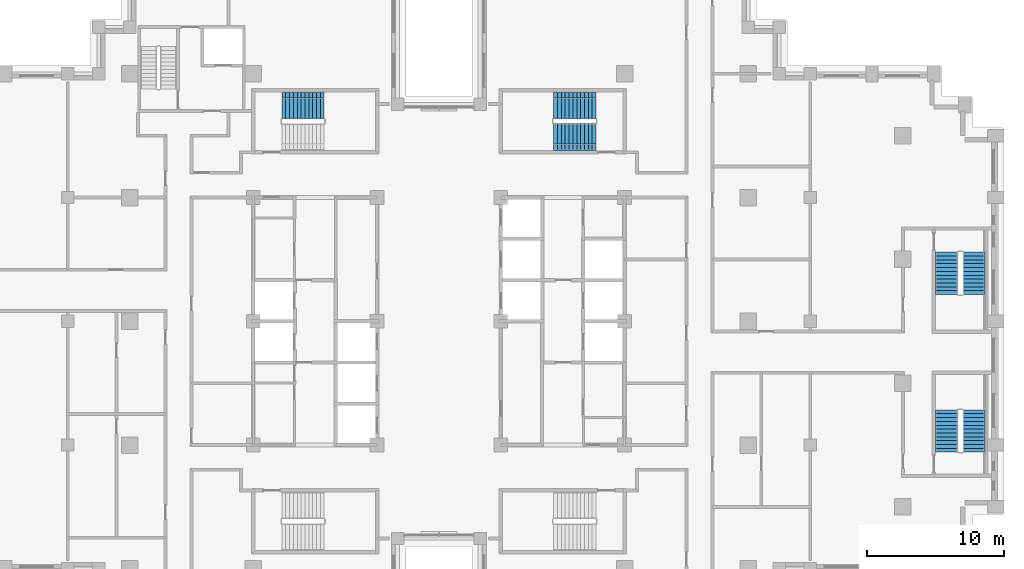
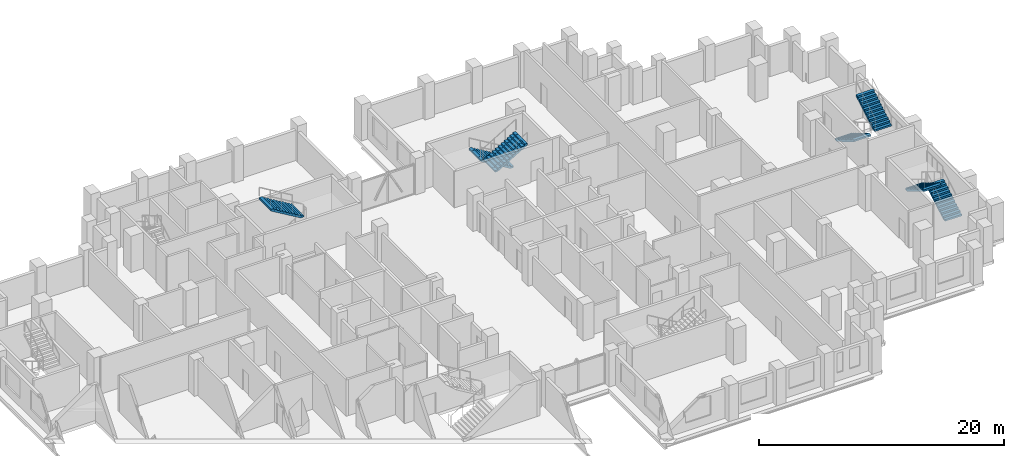
# One storey, part 14 of 16: 7 stair flights, 4 elements without a shape of their own.
"""IFC4 building model written with IfcOpenShell, lengths in metres."""

from ifc_helpers import new_model, si_unit, direction, frame, origin, place, context, subcontext, project, spatial, polyline, outline, extrude, material, type_object, element, aggregate, save


model = new_model("IFC4")

# Units and contexts
model_context = context("Model", 3, precision=1e-05, world=origin(), true_north=direction((0.0, 1.0)))
body_context = subcontext(model_context, "Body", "Model", "MODEL_VIEW")
ifc_project = project(units=[si_unit("LENGTHUNIT", "METRE"), si_unit("AREAUNIT", "SQUARE_METRE"), si_unit("VOLUMEUNIT", "CUBIC_METRE"), si_unit("PLANEANGLEUNIT", "RADIAN"), si_unit("MASSUNIT", "GRAM", prefix="KILO")], contexts=[model_context])

# Site, building, storey
site_placement = place(None, origin())
site = spatial("IfcSite", under=ifc_project, at=site_placement, CompositionType="ELEMENT")
building_placement = place(site_placement, origin())
building = spatial("IfcBuilding", under=site, at=building_placement, Name="Corbelhall Arena Tower", CompositionType="ELEMENT")
storey_placement = place(building_placement, frame((0.0, 0.0, 116.0)))
storey = spatial("IfcBuildingStorey", under=building, at=storey_placement, Name="L21", CompositionType="ELEMENT", Elevation=116.0)

# Stair, stair flight
ifc_material = material(Name="Concrete C40/50", Category="concrete")
stair_type = type_object("IfcStairType", Name="IN-ST-TOWER", PredefinedType="HALF_TURN_STAIR", material=ifc_material)
stair_1_placement = place(storey_placement, origin())
stair_1 = element("IfcStair", 1, at=stair_1_placement, inside=storey, type_object=stair_type, Name="L21 Exit stair ST1", PredefinedType="HALF_TURN_STAIR")
stair_flight_type = type_object("IfcStairFlightType", Name="IN-SFL-RC", PredefinedType="STRAIGHT", material=ifc_material)
stair_flight_1_placement = place(storey_placement, frame((-8.344970703125, 15.699951171875, 2.0), z_axis=(0.0, 0.0, 1.0), x_axis=(-1.0, 0.0, 0.0)))
stair_flight_1 = element("IfcStairFlight", 2, at=stair_flight_1_placement, type_object=stair_flight_type, Name="ST1 flight 2", NumberOfRisers=12, NumberOfTreads=11, PredefinedType="STRAIGHT", RiserHeight=0.166666667, TreadLength=0.28, context=body_context, shape_type="SweptSolid", body=[
    extrude(outline(polyline([(0.0, 0.0), (0.0, 0.166748046875), (0.280029296875, 0.166748046875), (0.280029296875, 0.333251953125), (0.56005859375, 0.333251953125), (0.56005859375, 0.5), (0.840087890625, 0.5), (0.840087890625, 0.666748046875), (1.1201171875, 0.666748046875), (1.1201171875, 0.833251953125), (1.39990234375, 0.833251953125), (1.39990234375, 1.0), (1.679931640625, 1.0), (1.679931640625, 1.166748046875), (1.9599609375, 1.166748046875), (1.9599609375, 1.333251953125), (2.239990234375, 1.333251953125), (2.239990234375, 1.5), (2.52001953125, 1.5), (2.52001953125, 1.666748046875), (2.800048828125, 1.666748046875), (2.800048828125, 1.833251953125), (3.080078125, 1.833251953125), (3.080078125, 2.0), (3.080078125, 1.658935546875), (0.29296875, 0.0), (0.0, 0.0)])), frame((0.0, 0.97509765625, 0.0), z_axis=(0.0, -1.0, 0.0), x_axis=(1.0, 0.0, 0.0)), (0.0, 0.0, 1.0), 0.449951171875),
    extrude(outline(polyline([(0.0, 0.0), (0.0, 0.166748046875), (0.280029296875, 0.166748046875), (0.280029296875, 0.333251953125), (0.56005859375, 0.333251953125), (0.56005859375, 0.5), (0.840087890625, 0.5), (0.840087890625, 0.666748046875), (1.1201171875, 0.666748046875), (1.1201171875, 0.833251953125), (1.39990234375, 0.833251953125), (1.39990234375, 1.0), (1.679931640625, 1.0), (1.679931640625, 1.166748046875), (1.9599609375, 1.166748046875), (1.9599609375, 1.333251953125), (2.239990234375, 1.333251953125), (2.239990234375, 1.5), (2.52001953125, 1.5), (2.52001953125, 1.666748046875), (2.800048828125, 1.666748046875), (2.800048828125, 1.833251953125), (3.080078125, 1.833251953125), (3.080078125, 2.0), (3.080078125, 1.658935546875), (0.29296875, 0.0), (0.0, 0.0)])), frame((0.0, 0.52099609375, 0.0), z_axis=(0.0, -1.0, 0.0), x_axis=(1.0, 0.0, 0.0)), (0.0, 0.0, 1.0), 1.0419921875),
    extrude(outline(polyline([(0.0, 0.0), (0.0, 0.166748046875), (0.280029296875, 0.166748046875), (0.280029296875, 0.333251953125), (0.56005859375, 0.333251953125), (0.56005859375, 0.5), (0.840087890625, 0.5), (0.840087890625, 0.666748046875), (1.1201171875, 0.666748046875), (1.1201171875, 0.833251953125), (1.39990234375, 0.833251953125), (1.39990234375, 1.0), (1.679931640625, 1.0), (1.679931640625, 1.166748046875), (1.9599609375, 1.166748046875), (1.9599609375, 1.333251953125), (2.239990234375, 1.333251953125), (2.239990234375, 1.5), (2.52001953125, 1.5), (2.52001953125, 1.666748046875), (2.800048828125, 1.666748046875), (2.800048828125, 1.833251953125), (3.080078125, 1.833251953125), (3.080078125, 2.0), (3.080078125, 1.658935546875), (0.29296875, 0.0), (0.0, 0.0)])), frame((0.0, -0.52490234375, 0.0), z_axis=(0.0, -1.0, 0.0), x_axis=(1.0, 0.0, 0.0)), (0.0, 0.0, 1.0), 0.449951171875),
])
aggregate(stair_1, [stair_flight_1])

# Stair, stair flights
stair_2_placement = place(storey_placement, origin())
stair_2 = element("IfcStair", 3, at=stair_2_placement, inside=storey, type_object=stair_type, Name="L21 Exit stair ST3", PredefinedType="HALF_TURN_STAIR")
stair_flight_2_placement = place(storey_placement, frame((11.425048828125, 15.699951171875, 0.0), z_axis=(0.0, 0.0, 1.0), x_axis=(-1.0, 0.0, 0.0)))
stair_flight_2 = element("IfcStairFlight", 4, at=stair_flight_2_placement, type_object=stair_flight_type, Name="ST3 flight 1", NumberOfRisers=12, NumberOfTreads=11, PredefinedType="STRAIGHT", RiserHeight=0.166666667, TreadLength=0.28, context=body_context, shape_type="SweptSolid", body=[
    extrude(outline(polyline([(0.0, 0.0), (0.0, 0.166748046875), (0.280029296875, 0.166748046875), (0.280029296875, 0.333251953125), (0.56005859375, 0.333251953125), (0.56005859375, 0.5), (0.840087890625, 0.5), (0.840087890625, 0.666748046875), (1.1201171875, 0.666748046875), (1.1201171875, 0.833251953125), (1.39990234375, 0.833251953125), (1.39990234375, 1.0), (1.679931640625, 1.0), (1.679931640625, 1.166748046875), (1.9599609375, 1.166748046875), (1.9599609375, 1.333251953125), (2.239990234375, 1.333251953125), (2.239990234375, 1.5), (2.52001953125, 1.5), (2.52001953125, 1.666748046875), (2.800048828125, 1.666748046875), (2.800048828125, 1.833251953125), (3.080078125, 1.833251953125), (3.080078125, 2.0), (3.080078125, 1.658935546875), (0.29296875, 0.0), (0.0, 0.0)])), frame((0.0, 0.97509765625, 0.0), z_axis=(0.0, -1.0, 0.0), x_axis=(1.0, 0.0, 0.0)), (0.0, 0.0, 1.0), 0.449951171875),
    extrude(outline(polyline([(0.0, 0.0), (0.0, 0.166748046875), (0.280029296875, 0.166748046875), (0.280029296875, 0.333251953125), (0.56005859375, 0.333251953125), (0.56005859375, 0.5), (0.840087890625, 0.5), (0.840087890625, 0.666748046875), (1.1201171875, 0.666748046875), (1.1201171875, 0.833251953125), (1.39990234375, 0.833251953125), (1.39990234375, 1.0), (1.679931640625, 1.0), (1.679931640625, 1.166748046875), (1.9599609375, 1.166748046875), (1.9599609375, 1.333251953125), (2.239990234375, 1.333251953125), (2.239990234375, 1.5), (2.52001953125, 1.5), (2.52001953125, 1.666748046875), (2.800048828125, 1.666748046875), (2.800048828125, 1.833251953125), (3.080078125, 1.833251953125), (3.080078125, 2.0), (3.080078125, 1.658935546875), (0.29296875, 0.0), (0.0, 0.0)])), frame((0.0, 0.52099609375, 0.0), z_axis=(0.0, -1.0, 0.0), x_axis=(1.0, 0.0, 0.0)), (0.0, 0.0, 1.0), 1.0419921875),
    extrude(outline(polyline([(0.0, 0.0), (0.0, 0.166748046875), (0.280029296875, 0.166748046875), (0.280029296875, 0.333251953125), (0.56005859375, 0.333251953125), (0.56005859375, 0.5), (0.840087890625, 0.5), (0.840087890625, 0.666748046875), (1.1201171875, 0.666748046875), (1.1201171875, 0.833251953125), (1.39990234375, 0.833251953125), (1.39990234375, 1.0), (1.679931640625, 1.0), (1.679931640625, 1.166748046875), (1.9599609375, 1.166748046875), (1.9599609375, 1.333251953125), (2.239990234375, 1.333251953125), (2.239990234375, 1.5), (2.52001953125, 1.5), (2.52001953125, 1.666748046875), (2.800048828125, 1.666748046875), (2.800048828125, 1.833251953125), (3.080078125, 1.833251953125), (3.080078125, 2.0), (3.080078125, 1.658935546875), (0.29296875, 0.0), (0.0, 0.0)])), frame((0.0, -0.52490234375, 0.0), z_axis=(0.0, -1.0, 0.0), x_axis=(1.0, 0.0, 0.0)), (0.0, 0.0, 1.0), 0.449951171875),
])
stair_flight_3_placement = place(storey_placement, frame((8.344970703125, 13.39990234375, 2.0), z_axis=(0.0, 0.0, 1.0), x_axis=(1.0, 0.0, 0.0)))
stair_flight_3 = element("IfcStairFlight", 5, at=stair_flight_3_placement, type_object=stair_flight_type, Name="ST3 flight 2", NumberOfRisers=12, NumberOfTreads=11, PredefinedType="STRAIGHT", RiserHeight=0.166666667, TreadLength=0.28, context=body_context, shape_type="SweptSolid", body=[
    extrude(outline(polyline([(0.0, 0.0), (0.0, 0.166748046875), (0.280029296875, 0.166748046875), (0.280029296875, 0.333251953125), (0.56005859375, 0.333251953125), (0.56005859375, 0.5), (0.840087890625, 0.5), (0.840087890625, 0.666748046875), (1.1201171875, 0.666748046875), (1.1201171875, 0.833251953125), (1.39990234375, 0.833251953125), (1.39990234375, 1.0), (1.679931640625, 1.0), (1.679931640625, 1.166748046875), (1.9599609375, 1.166748046875), (1.9599609375, 1.333251953125), (2.239990234375, 1.333251953125), (2.239990234375, 1.5), (2.52001953125, 1.5), (2.52001953125, 1.666748046875), (2.800048828125, 1.666748046875), (2.800048828125, 1.833251953125), (3.080078125, 1.833251953125), (3.080078125, 2.0), (3.080078125, 1.658935546875), (0.29296875, 0.0), (0.0, 0.0)])), frame((0.0, 0.97509765625, 0.0), z_axis=(0.0, -1.0, 0.0), x_axis=(1.0, 0.0, 0.0)), (0.0, 0.0, 1.0), 0.449951171875),
    extrude(outline(polyline([(0.0, 0.0), (0.0, 0.166748046875), (0.280029296875, 0.166748046875), (0.280029296875, 0.333251953125), (0.56005859375, 0.333251953125), (0.56005859375, 0.5), (0.840087890625, 0.5), (0.840087890625, 0.666748046875), (1.1201171875, 0.666748046875), (1.1201171875, 0.833251953125), (1.39990234375, 0.833251953125), (1.39990234375, 1.0), (1.679931640625, 1.0), (1.679931640625, 1.166748046875), (1.9599609375, 1.166748046875), (1.9599609375, 1.333251953125), (2.239990234375, 1.333251953125), (2.239990234375, 1.5), (2.52001953125, 1.5), (2.52001953125, 1.666748046875), (2.800048828125, 1.666748046875), (2.800048828125, 1.833251953125), (3.080078125, 1.833251953125), (3.080078125, 2.0), (3.080078125, 1.658935546875), (0.29296875, 0.0), (0.0, 0.0)])), frame((0.0, 0.52099609375, 0.0), z_axis=(0.0, -1.0, 0.0), x_axis=(1.0, 0.0, 0.0)), (0.0, 0.0, 1.0), 1.0419921875),
    extrude(outline(polyline([(0.0, 0.0), (0.0, 0.166748046875), (0.280029296875, 0.166748046875), (0.280029296875, 0.333251953125), (0.56005859375, 0.333251953125), (0.56005859375, 0.5), (0.840087890625, 0.5), (0.840087890625, 0.666748046875), (1.1201171875, 0.666748046875), (1.1201171875, 0.833251953125), (1.39990234375, 0.833251953125), (1.39990234375, 1.0), (1.679931640625, 1.0), (1.679931640625, 1.166748046875), (1.9599609375, 1.166748046875), (1.9599609375, 1.333251953125), (2.239990234375, 1.333251953125), (2.239990234375, 1.5), (2.52001953125, 1.5), (2.52001953125, 1.666748046875), (2.800048828125, 1.666748046875), (2.800048828125, 1.833251953125), (3.080078125, 1.833251953125), (3.080078125, 2.0), (3.080078125, 1.658935546875), (0.29296875, 0.0), (0.0, 0.0)])), frame((0.0, -0.52490234375, 0.0), z_axis=(0.0, -1.0, 0.0), x_axis=(1.0, 0.0, 0.0)), (0.0, 0.0, 1.0), 0.449951171875),
])
aggregate(stair_2, [stair_flight_2, stair_flight_3])

stair_3_placement = place(storey_placement, origin())
stair_3 = element("IfcStair", 6, at=stair_3_placement, inside=storey, type_object=stair_type, Name="L21 Exit stair SD1", PredefinedType="HALF_TURN_STAIR")
stair_flight_4_placement = place(storey_placement, frame((38.89990234375, -9.52490234375, 0.0), z_axis=(0.0, 0.0, 1.0), x_axis=(0.0, 1.0, 0.0)))
stair_flight_4 = element("IfcStairFlight", 7, at=stair_flight_4_placement, type_object=stair_flight_type, Name="SD1 flight 1", NumberOfRisers=12, NumberOfTreads=11, PredefinedType="STRAIGHT", RiserHeight=0.166666667, TreadLength=0.28, context=body_context, shape_type="SweptSolid", body=[
    extrude(outline(polyline([(0.0, 0.0), (0.0, 0.166748046875), (0.280029296875, 0.166748046875), (0.280029296875, 0.333251953125), (0.56005859375, 0.333251953125), (0.56005859375, 0.5), (0.840087890625, 0.5), (0.840087890625, 0.666748046875), (1.1201171875, 0.666748046875), (1.1201171875, 0.833251953125), (1.39990234375, 0.833251953125), (1.39990234375, 1.0), (1.679931640625, 1.0), (1.679931640625, 1.166748046875), (1.9599609375, 1.166748046875), (1.9599609375, 1.333251953125), (2.239990234375, 1.333251953125), (2.239990234375, 1.5), (2.52001953125, 1.5), (2.52001953125, 1.666748046875), (2.800048828125, 1.666748046875), (2.800048828125, 1.833251953125), (3.080078125, 1.833251953125), (3.080078125, 2.0), (3.080078125, 1.658935546875), (0.29296875, 0.0), (0.0, 0.0)])), frame((0.0, 0.800048828125, 0.0), z_axis=(0.0, -1.0, 0.0), x_axis=(1.0, 0.0, 0.0)), (0.0, 0.0, 1.0), 1.60009765625),
])
stair_flight_5_placement = place(storey_placement, frame((36.925048828125, -6.445068359375, 2.0), z_axis=(0.0, 0.0, 1.0), x_axis=(0.0, -1.0, 0.0)))
stair_flight_5 = element("IfcStairFlight", 8, at=stair_flight_5_placement, type_object=stair_flight_type, Name="SD1 flight 2", NumberOfRisers=12, NumberOfTreads=11, PredefinedType="STRAIGHT", RiserHeight=0.166666667, TreadLength=0.28, context=body_context, shape_type="SweptSolid", body=[
    extrude(outline(polyline([(0.0, 0.0), (0.0, 0.166748046875), (0.280029296875, 0.166748046875), (0.280029296875, 0.333251953125), (0.56005859375, 0.333251953125), (0.56005859375, 0.5), (0.840087890625, 0.5), (0.840087890625, 0.666748046875), (1.1201171875, 0.666748046875), (1.1201171875, 0.833251953125), (1.39990234375, 0.833251953125), (1.39990234375, 1.0), (1.679931640625, 1.0), (1.679931640625, 1.166748046875), (1.9599609375, 1.166748046875), (1.9599609375, 1.333251953125), (2.239990234375, 1.333251953125), (2.239990234375, 1.5), (2.52001953125, 1.5), (2.52001953125, 1.666748046875), (2.800048828125, 1.666748046875), (2.800048828125, 1.833251953125), (3.080078125, 1.833251953125), (3.080078125, 2.0), (3.080078125, 1.658935546875), (0.29296875, 0.0), (0.0, 0.0)])), frame((0.0, 0.800048828125, 0.0), z_axis=(0.0, -1.0, 0.0), x_axis=(1.0, 0.0, 0.0)), (0.0, 0.0, 1.0), 1.60009765625),
])
aggregate(stair_3, [stair_flight_4, stair_flight_5])

stair_4_placement = place(storey_placement, origin())
stair_4 = element("IfcStair", 9, at=stair_4_placement, inside=storey, type_object=stair_type, Name="L21 Exit stair SD2", PredefinedType="HALF_TURN_STAIR")
stair_flight_6_placement = place(storey_placement, frame((36.925048828125, 5.02490234375, 0.0), z_axis=(0.0, 0.0, 1.0), x_axis=(0.0, -1.0, 0.0)))
stair_flight_6 = element("IfcStairFlight", 10, at=stair_flight_6_placement, type_object=stair_flight_type, Name="SD2 flight 1", NumberOfRisers=12, NumberOfTreads=11, PredefinedType="STRAIGHT", RiserHeight=0.166666667, TreadLength=0.28, context=body_context, shape_type="SweptSolid", body=[
    extrude(outline(polyline([(0.0, 0.0), (0.0, 0.166748046875), (0.280029296875, 0.166748046875), (0.280029296875, 0.333251953125), (0.56005859375, 0.333251953125), (0.56005859375, 0.5), (0.840087890625, 0.5), (0.840087890625, 0.666748046875), (1.1201171875, 0.666748046875), (1.1201171875, 0.833251953125), (1.39990234375, 0.833251953125), (1.39990234375, 1.0), (1.679931640625, 1.0), (1.679931640625, 1.166748046875), (1.9599609375, 1.166748046875), (1.9599609375, 1.333251953125), (2.239990234375, 1.333251953125), (2.239990234375, 1.5), (2.52001953125, 1.5), (2.52001953125, 1.666748046875), (2.800048828125, 1.666748046875), (2.800048828125, 1.833251953125), (3.080078125, 1.833251953125), (3.080078125, 2.0), (3.080078125, 1.658935546875), (0.29296875, 0.0), (0.0, 0.0)])), frame((0.0, 0.800048828125, 0.0), z_axis=(0.0, -1.0, 0.0), x_axis=(1.0, 0.0, 0.0)), (0.0, 0.0, 1.0), 1.60009765625),
])
stair_flight_7_placement = place(storey_placement, frame((38.89990234375, 1.945068359375, 2.0), z_axis=(0.0, 0.0, 1.0), x_axis=(0.0, 1.0, 0.0)))
stair_flight_7 = element("IfcStairFlight", 11, at=stair_flight_7_placement, type_object=stair_flight_type, Name="SD2 flight 2", NumberOfRisers=12, NumberOfTreads=11, PredefinedType="STRAIGHT", RiserHeight=0.166666667, TreadLength=0.28, context=body_context, shape_type="SweptSolid", body=[
    extrude(outline(polyline([(0.0, 0.0), (0.0, 0.166748046875), (0.280029296875, 0.166748046875), (0.280029296875, 0.333251953125), (0.56005859375, 0.333251953125), (0.56005859375, 0.5), (0.840087890625, 0.5), (0.840087890625, 0.666748046875), (1.1201171875, 0.666748046875), (1.1201171875, 0.833251953125), (1.39990234375, 0.833251953125), (1.39990234375, 1.0), (1.679931640625, 1.0), (1.679931640625, 1.166748046875), (1.9599609375, 1.166748046875), (1.9599609375, 1.333251953125), (2.239990234375, 1.333251953125), (2.239990234375, 1.5), (2.52001953125, 1.5), (2.52001953125, 1.666748046875), (2.800048828125, 1.666748046875), (2.800048828125, 1.833251953125), (3.080078125, 1.833251953125), (3.080078125, 2.0), (3.080078125, 1.658935546875), (0.29296875, 0.0), (0.0, 0.0)])), frame((0.0, 0.800048828125, 0.0), z_axis=(0.0, -1.0, 0.0), x_axis=(1.0, 0.0, 0.0)), (0.0, 0.0, 1.0), 1.60009765625),
])
aggregate(stair_4, [stair_flight_6, stair_flight_7])

save(model, "model.ifc")
